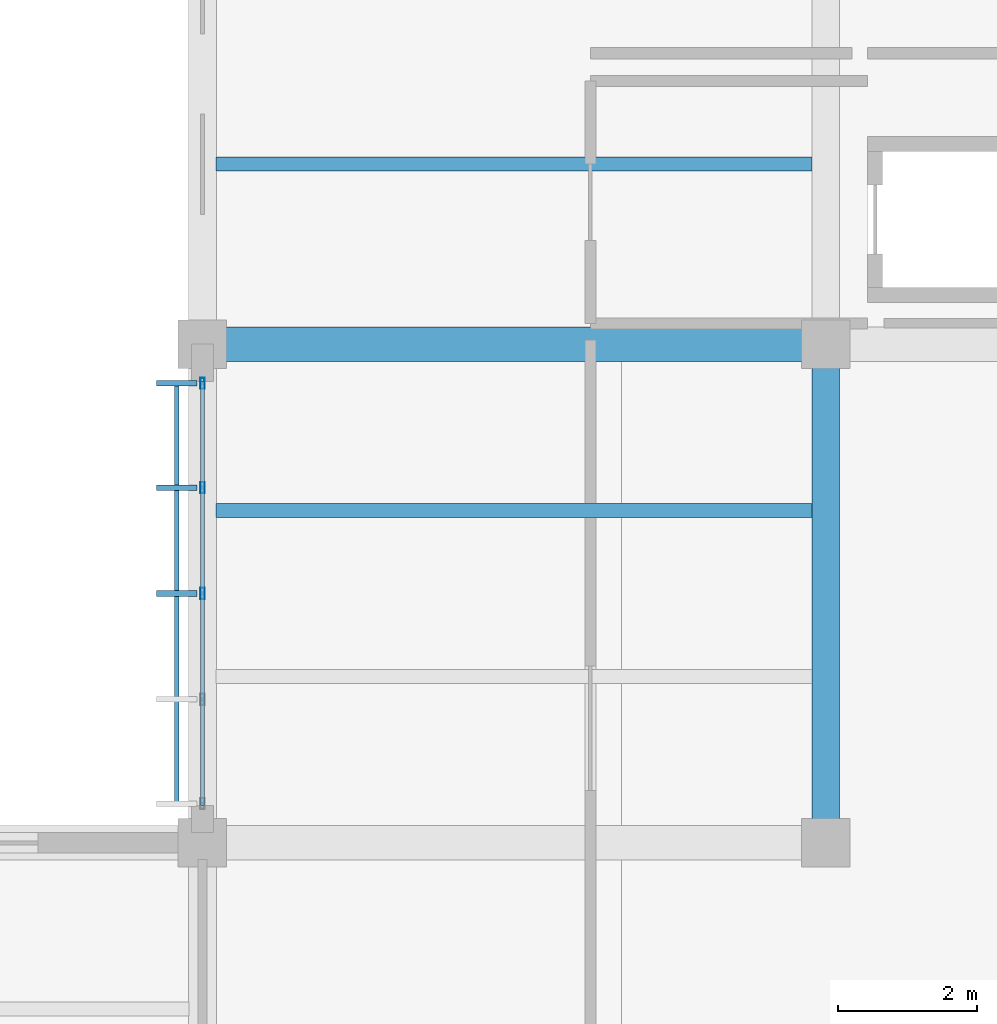
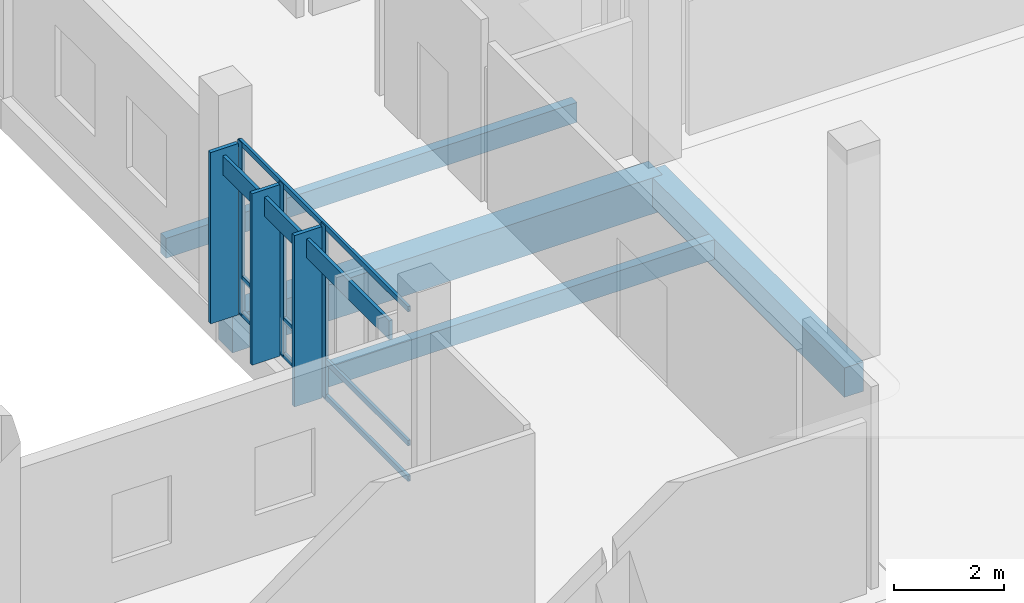
# One storey, part 89 of 177: 10 members, 4 beams, 1 element without a shape of its own.
"""IFC4 building model written with IfcOpenShell, lengths in metres."""

from ifc_helpers import new_model, si_unit, direction, frame, origin, origin_2d, place, context, subcontext, project, spatial, rectangle, hollow_rectangle, extrude, material, material_profile, profile_set, type_object, element, aggregate, save


model = new_model("IFC4")

# Units and contexts
model_context = context("Model", 3, precision=1e-05, world=origin(), true_north=direction((0.0, 1.0)))
body_context = subcontext(model_context, "Body", "Model", "MODEL_VIEW")
ifc_project = project(units=[si_unit("LENGTHUNIT", "METRE"), si_unit("AREAUNIT", "SQUARE_METRE"), si_unit("VOLUMEUNIT", "CUBIC_METRE"), si_unit("PLANEANGLEUNIT", "RADIAN"), si_unit("MASSUNIT", "GRAM", prefix="KILO")], contexts=[model_context])

# Site, building, storey
site_placement = place(None, origin())
site = spatial("IfcSite", under=ifc_project, at=site_placement, CompositionType="ELEMENT")
building_placement = place(site_placement, origin())
building = spatial("IfcBuilding", under=site, at=building_placement, Name="Chiffa Square Polytechnic", CompositionType="ELEMENT")
storey_placement = place(building_placement, frame((0.0, 0.0, 4.800048828125)))
storey = spatial("IfcBuildingStorey", under=building, at=storey_placement, Name="L01", CompositionType="ELEMENT", Elevation=4.800048828125)

# Beams
ifc_material_1 = material(Name="Concrete C35/45", Category="concrete")
ifc_material_profile_1 = material_profile(ifc_material_1, rectangle(XDim=0.39990234375, YDim=0.64990234375, at=origin_2d()), Name="RC 400x650")
ifc_profile_set_1 = profile_set([ifc_material_profile_1], Name="Concrete C35/45")
beam_type_1 = type_object("IfcBeamType", Name="BM-RC-400X650", PredefinedType="BEAM", material=ifc_profile_set_1)
beam_1_placement = place(storey_placement, frame((157.199951171875, 28.800048828125, -0.60498046875), z_axis=(0.0, 1.0, 0.0), x_axis=(-1.0, 0.0, 0.0)))
element("IfcBeam", 1, at=beam_1_placement, inside=storey, type_object=beam_type_1, Name="Primary floor girder BM-V1-L01-Y-1572-0288", PredefinedType="BEAM", context=body_context, shape_type="SweptSolid", body=[
    extrude(rectangle(XDim=0.39990234375, YDim=0.64990234375, at=origin_2d()), origin(), (0.0, 0.0, 1.0), 7.199951171875),
])
ifc_material_2 = material(Name="Concrete C40/50", Category="concrete")
ifc_material_profile_2 = material_profile(ifc_material_2, rectangle(XDim=0.5, YDim=0.800048828125, at=origin_2d()), Name="RC 500x800")
ifc_profile_set_2 = profile_set([ifc_material_profile_2], Name="Concrete C40/50")
beam_type_2 = type_object("IfcBeamType", Name="BM-RC-500X800", PredefinedType="BEAM", material=ifc_profile_set_2)
beam_2_placement = place(storey_placement, frame((148.199951171875, 36.0, -0.679931640625), z_axis=(1.0, 0.0, 0.0), x_axis=(0.0, 1.0, 0.0)))
element("IfcBeam", 2, at=beam_2_placement, inside=storey, type_object=beam_type_2, Name="Primary floor girder BM-V1-L01-X-1482-0360", PredefinedType="BEAM", context=body_context, shape_type="SweptSolid", body=[
    extrude(rectangle(XDim=0.5, YDim=0.800048828125, at=origin_2d()), origin(), (0.0, 0.0, 1.0), 9.0),
])

# Curtain wall, members
ifc_material_3 = material(Name="Aluminium EN AW-6060 T66 and glulam shading", Category="wood")
curtain_wall_type = type_object("IfcCurtainWallType", Name="CW-VERT-450X440", PredefinedType="USERDEFINED", material=ifc_material_3)
curtain_wall_placement = place(storey_placement, origin())
curtain_wall = element("IfcCurtainWall", 3, at=curtain_wall_placement, inside=storey, type_object=curtain_wall_type, Name="Curtain wall CW-V1-L01-128", ObjectType="CURTAIN WALL", PredefinedType="USERDEFINED")
ifc_material_4 = material(Name="Aluminium EN AW-6060 T66", Category="aluminium")
ifc_material_profile_3 = material_profile(ifc_material_4, hollow_rectangle(XDim=0.06005859375, YDim=0.159912109375, WallThickness=0.00390625, at=origin_2d()), Name="ALU 60x160x4")
ifc_profile_set_3 = profile_set([ifc_material_profile_3], Name="Aluminium EN AW-6060 T66")
member_type_1 = type_object("IfcMemberType", Name="CWM-ALU-65X150", PredefinedType="MULLION", material=ifc_profile_set_3)
member_1_placement = place(storey_placement, frame((148.199951171875, 35.43505859375, 0.0), z_axis=(0.0, 0.0, 1.0), x_axis=(1.0, 0.0, 0.0)))
member_1 = element("IfcMember", 4, at=member_1_placement, type_object=member_type_1, Name="Curtain wall mullion CW-V1-L01-128-M00", PredefinedType="MULLION", context=body_context, shape_type="SweptSolid", body=[
    extrude(hollow_rectangle(XDim=0.06005859375, YDim=0.159912109375, WallThickness=0.00390625, at=origin_2d()), origin(), (0.0, 0.0, 1.0), 3.81494140625),
])
member_2_placement = place(storey_placement, frame((148.199951171875, 33.929931640625, 0.0), z_axis=(0.0, 0.0, 1.0), x_axis=(1.0, 0.0, 0.0)))
member_2 = element("IfcMember", 5, at=member_2_placement, type_object=member_type_1, Name="Curtain wall mullion CW-V1-L01-128-M01", PredefinedType="MULLION", context=body_context, shape_type="SweptSolid", body=[
    extrude(hollow_rectangle(XDim=0.06005859375, YDim=0.159912109375, WallThickness=0.00390625, at=origin_2d()), origin(), (0.0, 0.0, 1.0), 3.81494140625),
])
member_3_placement = place(storey_placement, frame((148.199951171875, 32.39990234375, 0.0), z_axis=(0.0, 0.0, 1.0), x_axis=(1.0, 0.0, 0.0)))
member_3 = element("IfcMember", 6, at=member_3_placement, type_object=member_type_1, Name="Curtain wall mullion CW-V1-L01-128-M02", PredefinedType="MULLION", context=body_context, shape_type="SweptSolid", body=[
    extrude(hollow_rectangle(XDim=0.06005859375, YDim=0.159912109375, WallThickness=0.00390625, at=origin_2d()), origin(), (0.0, 0.0, 1.0), 3.81494140625),
])
ifc_material_5 = material(Name="Glulam GL28h", Category="wood")
ifc_material_profile_4 = material_profile(ifc_material_5, rectangle(XDim=0.080078125, YDim=0.580078125, at=origin_2d()), Name="GL28h 80x580")
ifc_profile_set_4 = profile_set([ifc_material_profile_4], Name="Glulam GL28h")
member_type_2 = type_object("IfcMemberType", Name="CWM-GL-80X580", PredefinedType="MULLION", material=ifc_profile_set_4)
member_4_placement = place(storey_placement, frame((147.827880859375, 35.43505859375, 0.010009765625), z_axis=(0.0, 0.0, 1.0), x_axis=(0.0, -1.0, 0.0)))
member_4 = element("IfcMember", 7, at=member_4_placement, type_object=member_type_2, Name="Exterior glulam solar fin CW-V1-L01-128-FN00", PredefinedType="MULLION", context=body_context, shape_type="SweptSolid", body=[
    extrude(rectangle(XDim=0.080078125, YDim=0.580078125, at=origin_2d()), origin(), (0.0, 0.0, 1.0), 3.794921875),
])
member_5_placement = place(storey_placement, frame((147.827880859375, 33.929931640625, 0.010009765625), z_axis=(0.0, 0.0, 1.0), x_axis=(0.0, -1.0, 0.0)))
member_5 = element("IfcMember", 8, at=member_5_placement, type_object=member_type_2, Name="Exterior glulam solar fin CW-V1-L01-128-FN01", PredefinedType="MULLION", context=body_context, shape_type="SweptSolid", body=[
    extrude(rectangle(XDim=0.080078125, YDim=0.580078125, at=origin_2d()), origin(), (0.0, 0.0, 1.0), 3.794921875),
])
member_6_placement = place(storey_placement, frame((147.827880859375, 32.39990234375, 0.010009765625), z_axis=(0.0, 0.0, 1.0), x_axis=(0.0, -1.0, 0.0)))
member_6 = element("IfcMember", 9, at=member_6_placement, type_object=member_type_2, Name="Exterior glulam solar fin CW-V1-L01-128-FN02", PredefinedType="MULLION", context=body_context, shape_type="SweptSolid", body=[
    extrude(rectangle(XDim=0.080078125, YDim=0.580078125, at=origin_2d()), origin(), (0.0, 0.0, 1.0), 3.794921875),
])
ifc_material_profile_5 = material_profile(ifc_material_4, hollow_rectangle(XDim=0.06005859375, YDim=0.1201171875, WallThickness=0.00390625, at=origin_2d()), Name="ALU 60x120x4")
ifc_profile_set_5 = profile_set([ifc_material_profile_5], Name="Aluminium EN AW-6060 T66")
member_type_3 = type_object("IfcMemberType", Name="CWT-ALU-65X120", PredefinedType="USERDEFINED", material=ifc_profile_set_5)
member_7_placement = place(storey_placement, frame((148.199951171875, 35.4619140625, 0.030029296875), z_axis=(0.0, -1.0, 0.0), x_axis=(1.0, 0.0, 0.0)))
member_7 = element("IfcMember", 10, at=member_7_placement, type_object=member_type_3, Name="Curtain wall transom CW-V1-L01-128-T01", ObjectType="TRANSOM", PredefinedType="USERDEFINED", context=body_context, shape_type="SweptSolid", body=[
    extrude(hollow_rectangle(XDim=0.06005859375, YDim=0.1201171875, WallThickness=0.00390625, at=origin_2d()), origin(), (0.0, 0.0, 1.0), 6.1240234375),
])
member_8_placement = place(storey_placement, frame((148.199951171875, 35.4619140625, 0.820068359375), z_axis=(0.0, -1.0, 0.0), x_axis=(1.0, 0.0, 0.0)))
member_8 = element("IfcMember", 11, at=member_8_placement, type_object=member_type_3, Name="Curtain wall transom CW-V1-L01-128-T02", ObjectType="TRANSOM", PredefinedType="USERDEFINED", context=body_context, shape_type="SweptSolid", body=[
    extrude(hollow_rectangle(XDim=0.06005859375, YDim=0.1201171875, WallThickness=0.00390625, at=origin_2d()), origin(), (0.0, 0.0, 1.0), 6.1240234375),
])
member_9_placement = place(storey_placement, frame((148.199951171875, 35.4619140625, 3.784912109375), z_axis=(0.0, -1.0, 0.0), x_axis=(1.0, 0.0, 0.0)))
member_9 = element("IfcMember", 12, at=member_9_placement, type_object=member_type_3, Name="Curtain wall transom CW-V1-L01-128-T03", ObjectType="TRANSOM", PredefinedType="USERDEFINED", context=body_context, shape_type="SweptSolid", body=[
    extrude(hollow_rectangle(XDim=0.06005859375, YDim=0.1201171875, WallThickness=0.00390625, at=origin_2d()), origin(), (0.0, 0.0, 1.0), 6.1240234375),
])
ifc_material_profile_6 = material_profile(ifc_material_5, rectangle(XDim=0.070068359375, YDim=0.419921875, at=origin_2d()), Name="GL28h 70x420")
ifc_profile_set_6 = profile_set([ifc_material_profile_6], Name="Glulam GL28h")
member_type_4 = type_object("IfcMemberType", Name="CWT-GL-70X420", PredefinedType="USERDEFINED", material=ifc_profile_set_6)
member_10_placement = place(storey_placement, frame((147.827880859375, 35.43505859375, 3.43505859375), z_axis=(0.0, -1.0, 0.0), x_axis=(1.0, 0.0, 0.0)))
member_10 = element("IfcMember", 13, at=member_10_placement, type_object=member_type_4, Name="Exterior glulam brise-soleil CW-V1-L01-128-BS01", ObjectType="TRANSOM", PredefinedType="USERDEFINED", context=body_context, shape_type="SweptSolid", body=[
    extrude(rectangle(XDim=0.070068359375, YDim=0.419921875, at=origin_2d()), origin(), (0.0, 0.0, 1.0), 6.070068359375),
])
aggregate(curtain_wall, [member_1, member_4, member_2, member_5, member_3, member_6, member_7, member_8, member_9, member_10])

# Beams
ifc_material_profile_7 = material_profile(ifc_material_5, rectangle(XDim=0.199951171875, YDim=0.43994140625, at=origin_2d()), Name="GL28h 200x440")
ifc_profile_set_7 = profile_set([ifc_material_profile_7], Name="Glulam GL28h")
beam_type_3 = type_object("IfcBeamType", Name="JST-GL-200X440", PredefinedType="JOIST", material=ifc_profile_set_7)
for number, where, z_axis, x_axis, name in (
    (14, (148.39794921875, 33.60009765625, -0.5), (1.0, 0.0, 0.0), (0.0, 1.0, 0.0), "Secondary floor joist JST-V1-L01-1482-0336"),
    (15, (148.39794921875, 38.60009765625, -0.5), (1.0, 0.0, 0.0), (0.0, 1.0, 0.0), "Secondary floor joist JST-V1-L01-1482-0386"),
):
    element("IfcBeam", number, at=place(storey_placement, frame(where, z_axis=z_axis, x_axis=x_axis)), inside=storey, type_object=beam_type_3, Name=name, PredefinedType="JOIST", context=body_context, shape_type="SweptSolid", body=[
        extrude(rectangle(XDim=0.199951171875, YDim=0.43994140625, at=origin_2d()), origin(), (0.0, 0.0, 1.0), 8.60400390625),
    ])

save(model, "model.ifc")
